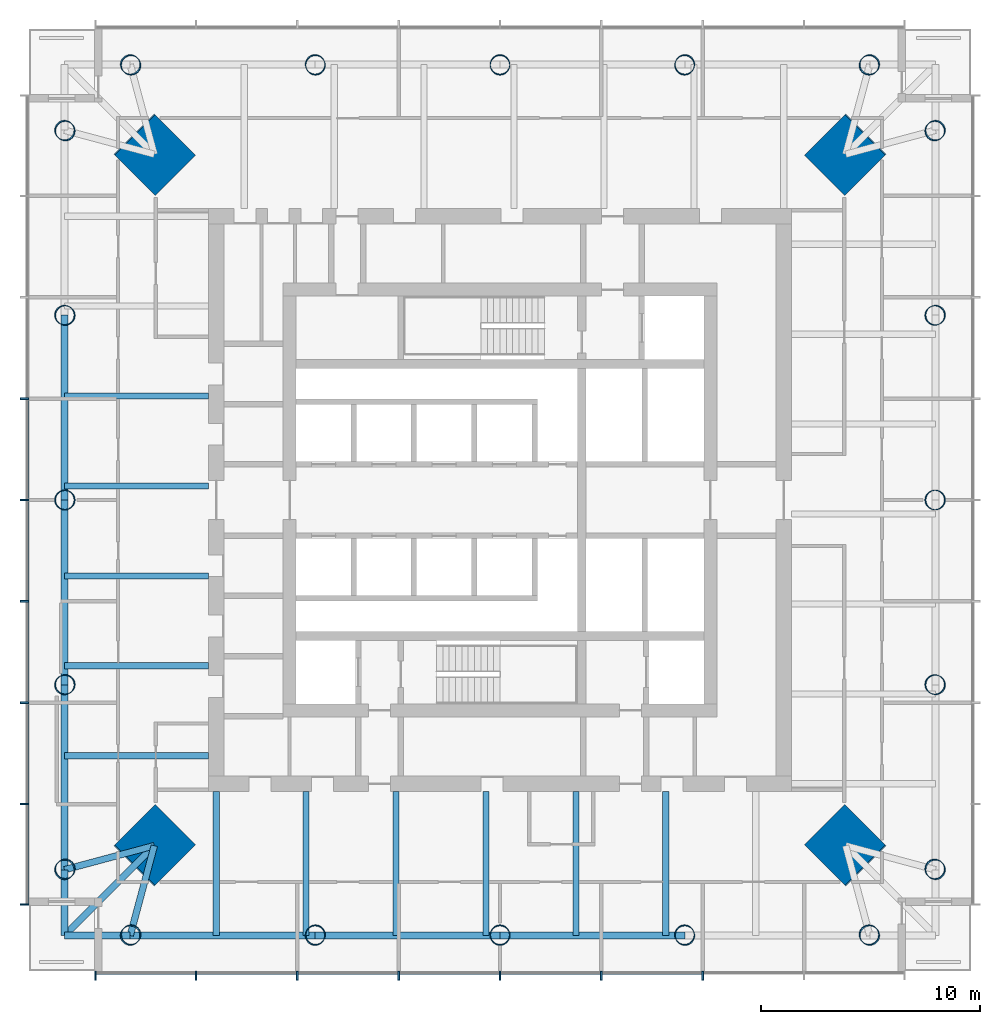
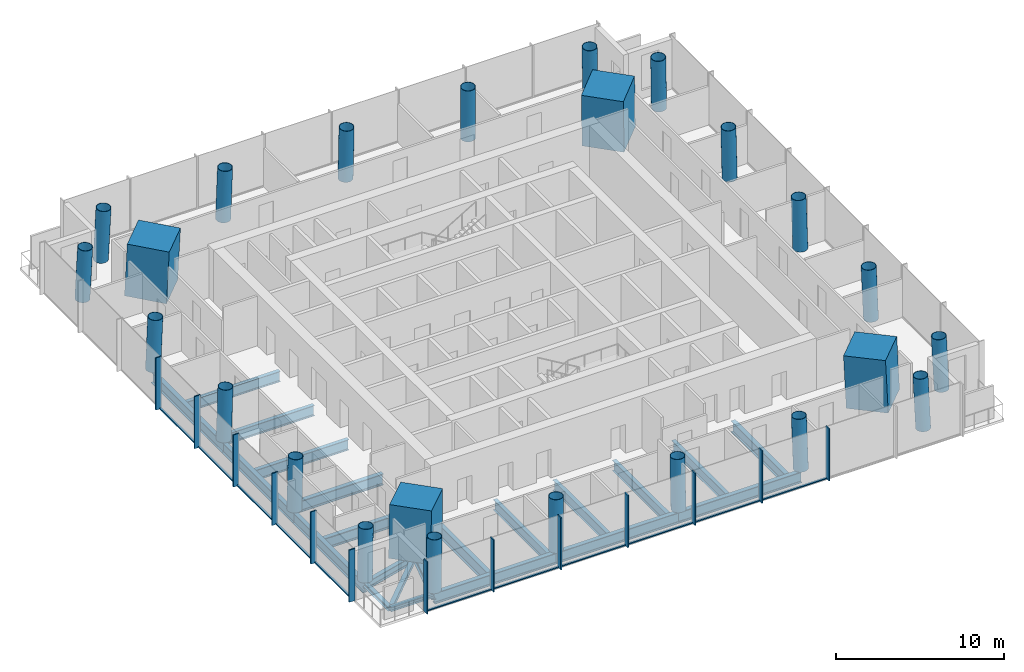
# One storey, part 1 of 9: 24 columns, 24 members, 22 beams, 2 elements without a shape of their own.
"""IFC4 building model written with IfcOpenShell, lengths in metres."""

from ifc_helpers import new_model, si_unit, direction, frame, origin, origin_2d, place, context, subcontext, project, spatial, rectangle, hollow_circle, i_section, extrude, material, material_profile, profile_set, type_object, element, aggregate, save


model = new_model("IFC4")

# Units and contexts
model_context = context("Model", 3, precision=1e-05, world=origin(), true_north=direction((0.0, 1.0)))
body_context = subcontext(model_context, "Body", "Model", "MODEL_VIEW")
ifc_project = project(units=[si_unit("LENGTHUNIT", "METRE"), si_unit("AREAUNIT", "SQUARE_METRE"), si_unit("VOLUMEUNIT", "CUBIC_METRE"), si_unit("PLANEANGLEUNIT", "RADIAN"), si_unit("MASSUNIT", "GRAM", prefix="KILO")], contexts=[model_context])

# Site, building, storey
site_placement = place(None, origin())
site = spatial("IfcSite", under=ifc_project, at=site_placement, CompositionType="ELEMENT")
building_placement = place(site_placement, origin())
building = spatial("IfcBuilding", under=site, at=building_placement, Name="Ostroluk Exchange", CompositionType="ELEMENT")
storey_placement = place(building_placement, frame((0.0, 0.0, 150.199951171875)))
storey = spatial("IfcBuildingStorey", under=building, at=storey_placement, Name="L38", CompositionType="ELEMENT", Elevation=150.199951171875)

# Columns
ifc_material_1 = material(Name="Concrete C50/60", Category="concrete")
ifc_material_profile_1 = material_profile(ifc_material_1, rectangle(XDim=2.60009765625, YDim=2.60009765625, at=origin_2d()), Name="RC 2600x2600")
ifc_profile_set_1 = profile_set([ifc_material_profile_1], Name="Concrete C50/60")
column_type_1 = type_object("IfcColumnType", Name="Mega column RC 2600x2600", PredefinedType="COLUMN", material=ifc_profile_set_1)
for number, where, z_axis, x_axis, name in (
    (1, (60.771484375, 61.771484375, 0.0), (-0.031962158256, -0.031962158256, 0.998977898093), (0.707106781187, -0.707106781187, 0.0), "T1 mega column NE"),
    (2, (29.228515625, 61.771484375, 0.0), (0.031962158256, -0.031962158256, 0.998977898093), (0.707106781187, 0.707106781187, 0.0), "T1 mega column NW"),
    (3, (29.228515625, 30.228515625, 0.0), (0.031962158256, 0.031962158256, 0.998977898093), (-0.707106781187, 0.707106781187, 0.0), "T1 mega column SW"),
    (4, (60.771484375, 30.228515625, 0.0), (-0.031962158256, 0.031962158256, 0.998977898093), (-0.707106781187, -0.707106781187, 0.0), "T1 mega column SE"),
):
    element("IfcColumn", number, at=place(storey_placement, frame(where, z_axis=z_axis, x_axis=x_axis)), inside=storey, type_object=column_type_1, Name=name, PredefinedType="COLUMN", context=body_context, shape_type="SweptSolid", body=[
        extrude(rectangle(XDim=2.60009765625, YDim=2.60009765625, at=origin_2d()), origin(), (0.0, 0.0, 1.0), 3.803955078125),
    ])
ifc_material_2 = material(Name="Steel S460", Category="steel")
ifc_material_profile_2 = material_profile(ifc_material_2, hollow_circle(Radius=0.45703125, WallThickness=0.030029296875, at=origin_2d()), Name="CHS 914x30")
ifc_profile_set_2 = profile_set([ifc_material_profile_2], Name="Steel S460")
column_type_2 = type_object("IfcColumnType", Name="Perimeter column CHS 914x30", PredefinedType="COLUMN", material=ifc_profile_set_2)
for number, where, z_axis, x_axis, name in (
    (5, (64.871337890625, 29.128662109375, 0.0), (-0.031898107953, 0.031898107953, 0.998981992539), (-0.707106781187, -0.707106781187, 0.0), "T1 east face column E0"),
    (6, (64.871337890625, 62.871337890625, 0.0), (-0.031898107953, -0.031898107953, 0.998981992539), (0.707106781187, -0.707106781187, 0.0), "T1 east face column E1"),
):
    element("IfcColumn", number, at=place(storey_placement, frame(where, z_axis=z_axis, x_axis=x_axis)), inside=storey, type_object=column_type_2, Name=name, PredefinedType="COLUMN", context=body_context, shape_type="SweptSolid", body=[
        extrude(hollow_circle(Radius=0.45703125, WallThickness=0.030029296875, at=origin_2d()), origin(), (0.0, 0.0, 1.0), 3.803955078125),
    ])
column_1_placement = place(storey_placement, frame((64.871337890625, 37.564208984375, 0.0), z_axis=(-0.031910269556, 0.015987237665, 0.999362868496), x_axis=(-0.447933021895, -0.894067115991, 0.0)))
element("IfcColumn", 7, at=column_1_placement, inside=storey, type_object=column_type_2, Name="T1 east face column I1", PredefinedType="COLUMN", context=body_context, shape_type="SweptSolid", body=[
    extrude(hollow_circle(Radius=0.45703125, WallThickness=0.030029296875, at=origin_2d()), origin(), (0.0, 0.0, 1.0), 3.802490234375),
])
column_2_placement = place(storey_placement, frame((64.871337890625, 46.0, 0.0), z_axis=(-0.031914348339, 0.0, 0.999490607445), x_axis=(0.0, -1.0, 0.0)))
element("IfcColumn", 8, at=column_2_placement, inside=storey, type_object=column_type_2, Name="T1 east face column I2", PredefinedType="COLUMN", context=body_context, shape_type="SweptSolid", body=[
    extrude(hollow_circle(Radius=0.45703125, WallThickness=0.030029296875, at=origin_2d()), origin(), (0.0, 0.0, 1.0), 3.802001953125),
])
column_3_placement = place(storey_placement, frame((64.871337890625, 54.435791015625, 0.0), z_axis=(-0.031910269556, -0.015987237665, 0.999362868496), x_axis=(0.447933021895, -0.894067115991, 0.0)))
element("IfcColumn", 9, at=column_3_placement, inside=storey, type_object=column_type_2, Name="T1 east face column I3", PredefinedType="COLUMN", context=body_context, shape_type="SweptSolid", body=[
    extrude(hollow_circle(Radius=0.45703125, WallThickness=0.030029296875, at=origin_2d()), origin(), (0.0, 0.0, 1.0), 3.802490234375),
])
for number, where, z_axis, x_axis, name in (
    (10, (61.871337890625, 65.871337890625, 0.0), (-0.031898107953, -0.031898107953, 0.998981992539), (0.707106781187, -0.707106781187, 0.0), "T1 north face column E0"),
    (11, (28.128662109375, 65.871337890625, 0.0), (0.031898107953, -0.031898107953, 0.998981992539), (0.707106781187, 0.707106781187, 0.0), "T1 north face column E1"),
):
    element("IfcColumn", number, at=place(storey_placement, frame(where, z_axis=z_axis, x_axis=x_axis)), inside=storey, type_object=column_type_2, Name=name, PredefinedType="COLUMN", context=body_context, shape_type="SweptSolid", body=[
        extrude(hollow_circle(Radius=0.45703125, WallThickness=0.030029296875, at=origin_2d()), origin(), (0.0, 0.0, 1.0), 3.803955078125),
    ])
column_4_placement = place(storey_placement, frame((53.435791015625, 65.871337890625, 0.0), z_axis=(-0.015987237665, -0.031910269556, 0.999362868496), x_axis=(0.894067115991, -0.447933021895, 0.0)))
element("IfcColumn", 12, at=column_4_placement, inside=storey, type_object=column_type_2, Name="T1 north face column I1", PredefinedType="COLUMN", context=body_context, shape_type="SweptSolid", body=[
    extrude(hollow_circle(Radius=0.45703125, WallThickness=0.030029296875, at=origin_2d()), origin(), (0.0, 0.0, 1.0), 3.802490234375),
])
column_5_placement = place(storey_placement, frame((45.0, 65.871337890625, 0.0), z_axis=(0.0, -0.031914348339, 0.999490607445), x_axis=(1.0, 0.0, 0.0)))
element("IfcColumn", 13, at=column_5_placement, inside=storey, type_object=column_type_2, Name="T1 north face column I2", PredefinedType="COLUMN", context=body_context, shape_type="SweptSolid", body=[
    extrude(hollow_circle(Radius=0.45703125, WallThickness=0.030029296875, at=origin_2d()), origin(), (0.0, 0.0, 1.0), 3.802001953125),
])
column_6_placement = place(storey_placement, frame((36.564208984375, 65.871337890625, 0.0), z_axis=(0.015987237665, -0.031910269556, 0.999362868496), x_axis=(0.894067115991, 0.447933021895, 0.0)))
element("IfcColumn", 14, at=column_6_placement, inside=storey, type_object=column_type_2, Name="T1 north face column I3", PredefinedType="COLUMN", context=body_context, shape_type="SweptSolid", body=[
    extrude(hollow_circle(Radius=0.45703125, WallThickness=0.030029296875, at=origin_2d()), origin(), (0.0, 0.0, 1.0), 3.802490234375),
])
for number, where, z_axis, x_axis, name in (
    (15, (25.128662109375, 62.871337890625, 0.0), (0.031898107953, -0.031898107953, 0.998981992539), (0.707106781187, 0.707106781187, 0.0), "T1 west face column E0"),
    (16, (25.128662109375, 29.128662109375, 0.0), (0.031898107953, 0.031898107953, 0.998981992539), (-0.707106781187, 0.707106781187, 0.0), "T1 west face column E1"),
):
    element("IfcColumn", number, at=place(storey_placement, frame(where, z_axis=z_axis, x_axis=x_axis)), inside=storey, type_object=column_type_2, Name=name, PredefinedType="COLUMN", context=body_context, shape_type="SweptSolid", body=[
        extrude(hollow_circle(Radius=0.45703125, WallThickness=0.030029296875, at=origin_2d()), origin(), (0.0, 0.0, 1.0), 3.803955078125),
    ])
column_7_placement = place(storey_placement, frame((25.128662109375, 54.435791015625, 0.0), z_axis=(0.031910269556, -0.015987237665, 0.999362868496), x_axis=(0.447933021895, 0.894067115991, 0.0)))
element("IfcColumn", 17, at=column_7_placement, inside=storey, type_object=column_type_2, Name="T1 west face column I1", PredefinedType="COLUMN", context=body_context, shape_type="SweptSolid", body=[
    extrude(hollow_circle(Radius=0.45703125, WallThickness=0.030029296875, at=origin_2d()), origin(), (0.0, 0.0, 1.0), 3.802490234375),
])
column_8_placement = place(storey_placement, frame((25.128662109375, 46.0, 0.0), z_axis=(0.031914348339, 0.0, 0.999490607445), x_axis=(0.0, 1.0, 0.0)))
element("IfcColumn", 18, at=column_8_placement, inside=storey, type_object=column_type_2, Name="T1 west face column I2", PredefinedType="COLUMN", context=body_context, shape_type="SweptSolid", body=[
    extrude(hollow_circle(Radius=0.45703125, WallThickness=0.030029296875, at=origin_2d()), origin(), (0.0, 0.0, 1.0), 3.802001953125),
])
column_9_placement = place(storey_placement, frame((25.128662109375, 37.564208984375, 0.0), z_axis=(0.031910269556, 0.015987237665, 0.999362868496), x_axis=(-0.447933021895, 0.894067115991, 0.0)))
element("IfcColumn", 19, at=column_9_placement, inside=storey, type_object=column_type_2, Name="T1 west face column I3", PredefinedType="COLUMN", context=body_context, shape_type="SweptSolid", body=[
    extrude(hollow_circle(Radius=0.45703125, WallThickness=0.030029296875, at=origin_2d()), origin(), (0.0, 0.0, 1.0), 3.802490234375),
])
for number, where, z_axis, x_axis, name in (
    (20, (28.128662109375, 26.128662109375, 0.0), (0.031898107953, 0.031898107953, 0.998981992539), (-0.707106781187, 0.707106781187, 0.0), "T1 south face column E0"),
    (21, (61.871337890625, 26.128662109375, 0.0), (-0.031898107953, 0.031898107953, 0.998981992539), (-0.707106781187, -0.707106781187, 0.0), "T1 south face column E1"),
):
    element("IfcColumn", number, at=place(storey_placement, frame(where, z_axis=z_axis, x_axis=x_axis)), inside=storey, type_object=column_type_2, Name=name, PredefinedType="COLUMN", context=body_context, shape_type="SweptSolid", body=[
        extrude(hollow_circle(Radius=0.45703125, WallThickness=0.030029296875, at=origin_2d()), origin(), (0.0, 0.0, 1.0), 3.803955078125),
    ])
column_10_placement = place(storey_placement, frame((36.564208984375, 26.128662109375, 0.0), z_axis=(0.015987237665, 0.031910269556, 0.999362868496), x_axis=(-0.894067115991, 0.447933021895, 0.0)))
element("IfcColumn", 22, at=column_10_placement, inside=storey, type_object=column_type_2, Name="T1 south face column I1", PredefinedType="COLUMN", context=body_context, shape_type="SweptSolid", body=[
    extrude(hollow_circle(Radius=0.45703125, WallThickness=0.030029296875, at=origin_2d()), origin(), (0.0, 0.0, 1.0), 3.802490234375),
])
column_11_placement = place(storey_placement, frame((45.0, 26.128662109375, 0.0), z_axis=(0.0, 0.031914348339, 0.999490607445), x_axis=(-1.0, 0.0, 0.0)))
element("IfcColumn", 23, at=column_11_placement, inside=storey, type_object=column_type_2, Name="T1 south face column I2", PredefinedType="COLUMN", context=body_context, shape_type="SweptSolid", body=[
    extrude(hollow_circle(Radius=0.45703125, WallThickness=0.030029296875, at=origin_2d()), origin(), (0.0, 0.0, 1.0), 3.802001953125),
])
column_12_placement = place(storey_placement, frame((53.435791015625, 26.128662109375, 0.0), z_axis=(-0.015987237665, 0.031910269556, 0.999362868496), x_axis=(-0.894067115991, -0.447933021895, 0.0)))
element("IfcColumn", 24, at=column_12_placement, inside=storey, type_object=column_type_2, Name="T1 south face column I3", PredefinedType="COLUMN", context=body_context, shape_type="SweptSolid", body=[
    extrude(hollow_circle(Radius=0.45703125, WallThickness=0.030029296875, at=origin_2d()), origin(), (0.0, 0.0, 1.0), 3.802490234375),
])

# Beams
ifc_material_3 = material(Name="Steel S355", Category="steel")
ifc_material_profile_3 = material_profile(ifc_material_3, i_section(OverallWidth=0.300048828125, OverallDepth=0.300048828125, WebThickness=0.010986328125, FlangeThickness=0.01904296875, FilletRadius=0.027099609375, at=origin_2d()), Name="HEB 300")
ifc_profile_set_3 = profile_set([ifc_material_profile_3], Name="Steel S355")
beam_type_1 = type_object("IfcBeamType", Name="Balcony beam HEB 300", PredefinedType="BEAM", material=ifc_profile_set_3)
for number, where, z_axis, x_axis, name in (
    (25, (25.128662109375, 29.128662109375, -0.329833984375), (0.0, -1.0, 0.0), (1.0, 0.0, 0.0), "T1 west balcony beam a"),
    (26, (28.128662109375, 26.128662109375, -0.329833984375), (-1.0, 0.0, 0.0), (0.0, -1.0, 0.0), "T1 west balcony beam b"),
):
    element("IfcBeam", number, at=place(storey_placement, frame(where, z_axis=z_axis, x_axis=x_axis)), inside=storey, type_object=beam_type_1, Name=name, PredefinedType="BEAM", context=body_context, shape_type="SweptSolid", body=[
        extrude(i_section(OverallWidth=0.300048828125, OverallDepth=0.300048828125, WebThickness=0.010986328125, FlangeThickness=0.01904296875, FilletRadius=0.027099609375, at=origin_2d()), origin(), (0.0, 0.0, 1.0), 3.0),
    ])
beam_1_placement = place(storey_placement, frame((29.228515625, 30.228515625, -0.329833984375), z_axis=(-0.707106781187, -0.707106781187, 0.0), x_axis=(0.707106781187, -0.707106781187, 0.0)))
element("IfcBeam", 27, at=beam_1_placement, inside=storey, type_object=beam_type_1, Name="T1 west balcony beam c", PredefinedType="BEAM", context=body_context, shape_type="SweptSolid", body=[
    extrude(i_section(OverallWidth=0.300048828125, OverallDepth=0.300048828125, WebThickness=0.010986328125, FlangeThickness=0.01904296875, FilletRadius=0.027099609375, at=origin_2d()), origin(), (0.0, 0.0, 1.0), 5.798095703125),
])
ifc_material_4 = material(Name="Steel S355", Category="steel")
ifc_material_profile_4 = material_profile(ifc_material_4, i_section(OverallWidth=0.300048828125, OverallDepth=0.550048828125, WebThickness=0.014892578125, FlangeThickness=0.029052734375, FilletRadius=0.027099609375, at=origin_2d()), Name="HEB 550")
ifc_profile_set_4 = profile_set([ifc_material_profile_4], Name="Steel S355")
beam_type_2 = type_object("IfcBeamType", Name="Corner edge beam HEB 550", PredefinedType="SPANDREL", material=ifc_profile_set_4)
for number, where, z_axis, x_axis, name in (
    (28, (29.228515625, 30.228515625, -0.454833984375), (-0.965849156574, -0.259105011038, 0.0), (0.259105011038, -0.965849156574, 0.0), "T1 west corner edge beam a"),
    (29, (29.228515625, 30.228515625, -0.454833984375), (-0.259105011038, -0.965849156574, 0.0), (0.965849156574, -0.259105011038, 0.0), "T1 west corner edge beam b"),
):
    element("IfcBeam", number, at=place(storey_placement, frame(where, z_axis=z_axis, x_axis=x_axis)), inside=storey, type_object=beam_type_2, Name=name, PredefinedType="SPANDREL", context=body_context, shape_type="SweptSolid", body=[
        extrude(i_section(OverallWidth=0.300048828125, OverallDepth=0.550048828125, WebThickness=0.014892578125, FlangeThickness=0.029052734375, FilletRadius=0.027099609375, at=origin_2d()), origin(), (0.0, 0.0, 1.0), 4.244873046875),
    ])
ifc_material_5 = material(Name="Steel S355", Category="steel")
ifc_material_profile_5 = material_profile(ifc_material_5, i_section(OverallWidth=0.302978515625, OverallDepth=0.81396484375, WebThickness=0.02099609375, FlangeThickness=0.0400390625, FilletRadius=0.030029296875, at=origin_2d()), Name="HEM 800")
ifc_profile_set_5 = profile_set([ifc_material_profile_5], Name="Steel S355")
beam_type_3 = type_object("IfcBeamType", Name="Floor beam HEM 800", PredefinedType="BEAM", material=ifc_profile_set_5)
for number, where, z_axis, x_axis, name in (
    (30, (31.699951171875, 38.4365234375, -0.5869140625), (-1.0, 0.0, 0.0), (0.0, -1.0, 0.0), "T1 west floor beam 5"),
    (31, (31.699951171875, 34.333984375, -0.5869140625), (-1.0, 0.0, 0.0), (0.0, -1.0, 0.0), "T1 west floor beam 6"),
    (32, (52.5634765625, 32.699951171875, -0.5869140625), (0.0, -1.0, 0.0), (1.0, 0.0, 0.0), "T1 south floor beam 5"),
):
    element("IfcBeam", number, at=place(storey_placement, frame(where, z_axis=z_axis, x_axis=x_axis)), inside=storey, type_object=beam_type_3, Name=name, PredefinedType="BEAM", context=body_context, shape_type="SweptSolid", body=[
        extrude(i_section(OverallWidth=0.302978515625, OverallDepth=0.81396484375, WebThickness=0.02099609375, FlangeThickness=0.0400390625, FilletRadius=0.030029296875, at=origin_2d()), origin(), (0.0, 0.0, 1.0), 6.5712890625),
    ])
ifc_material_6 = material(Name="Steel S355", Category="steel")
ifc_material_profile_6 = material_profile(ifc_material_6, i_section(OverallWidth=0.26708984375, OverallDepth=0.761962890625, WebThickness=0.014404296875, FlangeThickness=0.021484375, FilletRadius=0.01708984375, at=origin_2d()), Name="IPE 750x173")
ifc_profile_set_6 = profile_set([ifc_material_profile_6], Name="Steel S355")
beam_type_4 = type_object("IfcBeamType", Name="Floor beam IPE 750x173", PredefinedType="BEAM", material=ifc_profile_set_6)
for number, where, z_axis, x_axis, name in (
    (33, (31.699951171875, 50.74462890625, -0.56103515625), (-1.0, 0.0, 0.0), (0.0, -1.0, 0.0), "T1 west floor beam 2"),
    (34, (31.699951171875, 46.641845703125, -0.56103515625), (-1.0, 0.0, 0.0), (0.0, -1.0, 0.0), "T1 west floor beam 3"),
    (35, (31.699951171875, 42.539306640625, -0.56103515625), (-1.0, 0.0, 0.0), (0.0, -1.0, 0.0), "T1 west floor beam 4"),
    (36, (36.152587890625, 32.699951171875, -0.56103515625), (0.0, -1.0, 0.0), (1.0, 0.0, 0.0), "T1 south floor beam 1"),
    (37, (40.25537109375, 32.699951171875, -0.56103515625), (0.0, -1.0, 0.0), (1.0, 0.0, 0.0), "T1 south floor beam 2"),
    (38, (44.358154296875, 32.699951171875, -0.56103515625), (0.0, -1.0, 0.0), (1.0, 0.0, 0.0), "T1 south floor beam 3"),
    (39, (48.460693359375, 32.699951171875, -0.56103515625), (0.0, -1.0, 0.0), (1.0, 0.0, 0.0), "T1 south floor beam 4"),
):
    element("IfcBeam", number, at=place(storey_placement, frame(where, z_axis=z_axis, x_axis=x_axis)), inside=storey, type_object=beam_type_4, Name=name, PredefinedType="BEAM", context=body_context, shape_type="SweptSolid", body=[
        extrude(i_section(OverallWidth=0.26708984375, OverallDepth=0.761962890625, WebThickness=0.014404296875, FlangeThickness=0.021484375, FilletRadius=0.01708984375, at=origin_2d()), origin(), (0.0, 0.0, 1.0), 6.5712890625),
    ])
ifc_material_7 = material(Name="Steel S355", Category="steel")
ifc_material_profile_7 = material_profile(ifc_material_7, i_section(OverallWidth=0.300048828125, OverallDepth=0.89990234375, WebThickness=0.0185546875, FlangeThickness=0.034912109375, FilletRadius=0.030029296875, at=origin_2d()), Name="HEB 900")
ifc_profile_set_7 = profile_set([ifc_material_profile_7], Name="Steel S355")
beam_type_5 = type_object("IfcBeamType", Name="Girder HEB 900", PredefinedType="BEAM", material=ifc_profile_set_7)
beam_2_placement = place(storey_placement, frame((32.050048828125, 32.699951171875, -0.6298828125), z_axis=(0.0, -1.0, 0.0), x_axis=(1.0, 0.0, 0.0)))
element("IfcBeam", 40, at=beam_2_placement, inside=storey, type_object=beam_type_5, Name="T1 west girder", PredefinedType="BEAM", context=body_context, shape_type="SweptSolid", body=[
    extrude(i_section(OverallWidth=0.300048828125, OverallDepth=0.89990234375, WebThickness=0.0185546875, FlangeThickness=0.034912109375, FilletRadius=0.030029296875, at=origin_2d()), origin(), (0.0, 0.0, 1.0), 6.5712890625),
])
ifc_material_8 = material(Name="Steel S355", Category="steel")
ifc_material_profile_8 = material_profile(ifc_material_8, i_section(OverallWidth=0.300048828125, OverallDepth=0.800048828125, WebThickness=0.017578125, FlangeThickness=0.032958984375, FilletRadius=0.030029296875, at=origin_2d()), Name="HEB 800")
ifc_profile_set_8 = profile_set([ifc_material_profile_8], Name="Steel S355")
beam_type_6 = type_object("IfcBeamType", Name="Moment-connected edge beam HEB 800", PredefinedType="SPANDREL", material=ifc_profile_set_8)
for number, where, z_axis, x_axis, name in (
    (41, (25.128662109375, 54.435791015625, -0.579833984375), (0.0, -1.0, 0.0), (1.0, 0.0, 0.0), "T1 west edge beam 2"),
    (42, (25.128662109375, 46.0, -0.579833984375), (0.0, -1.0, 0.0), (1.0, 0.0, 0.0), "T1 west edge beam 3"),
):
    element("IfcBeam", number, at=place(storey_placement, frame(where, z_axis=z_axis, x_axis=x_axis)), inside=storey, type_object=beam_type_6, Name=name, PredefinedType="SPANDREL", context=body_context, shape_type="SweptSolid", body=[
        extrude(i_section(OverallWidth=0.300048828125, OverallDepth=0.800048828125, WebThickness=0.017578125, FlangeThickness=0.032958984375, FilletRadius=0.030029296875, at=origin_2d()), origin(), (0.0, 0.0, 1.0), 8.435791015625),
    ])
for number, where, z_axis, x_axis, name in (
    (43, (25.128662109375, 37.564208984375, -0.579833984375), (0.0, -1.0, 0.0), (1.0, 0.0, 0.0), "T1 west edge beam 4"),
    (44, (28.128662109375, 26.128662109375, -0.579833984375), (1.0, 0.0, 0.0), (0.0, 1.0, 0.0), "T1 south edge beam 1"),
):
    element("IfcBeam", number, at=place(storey_placement, frame(where, z_axis=z_axis, x_axis=x_axis)), inside=storey, type_object=beam_type_6, Name=name, PredefinedType="SPANDREL", context=body_context, shape_type="SweptSolid", body=[
        extrude(i_section(OverallWidth=0.300048828125, OverallDepth=0.800048828125, WebThickness=0.017578125, FlangeThickness=0.032958984375, FilletRadius=0.030029296875, at=origin_2d()), origin(), (0.0, 0.0, 1.0), 8.435546875),
    ])
for number, where, z_axis, x_axis, name in (
    (45, (36.564208984375, 26.128662109375, -0.579833984375), (1.0, 0.0, 0.0), (0.0, 1.0, 0.0), "T1 south edge beam 2"),
    (46, (45.0, 26.128662109375, -0.579833984375), (1.0, 0.0, 0.0), (0.0, 1.0, 0.0), "T1 south edge beam 3"),
):
    element("IfcBeam", number, at=place(storey_placement, frame(where, z_axis=z_axis, x_axis=x_axis)), inside=storey, type_object=beam_type_6, Name=name, PredefinedType="SPANDREL", context=body_context, shape_type="SweptSolid", body=[
        extrude(i_section(OverallWidth=0.300048828125, OverallDepth=0.800048828125, WebThickness=0.017578125, FlangeThickness=0.032958984375, FilletRadius=0.030029296875, at=origin_2d()), origin(), (0.0, 0.0, 1.0), 8.435791015625),
    ])

# Curtain wall, members
ifc_material_9 = material(Name="Laminated clear glass", Category="glass")
curtain_wall_type = type_object("IfcCurtainWallType", Name="Office tower facade", PredefinedType="USERDEFINED", material=ifc_material_9)
curtain_wall_1_placement = place(storey_placement, origin())
curtain_wall_1 = element("IfcCurtainWall", 47, at=curtain_wall_1_placement, inside=storey, type_object=curtain_wall_type, Name="Office tower south facade L38", ObjectType="UNITISED CURTAIN WALL", PredefinedType="USERDEFINED")
ifc_material_10 = material(Name="Aluminium mullion", Category="aluminium")
ifc_material_profile_9 = material_profile(ifc_material_10, rectangle(XDim=0.14990234375, YDim=0.080078125, at=origin_2d()), Name="Sill transom 80 x 150")
ifc_profile_set_9 = profile_set([ifc_material_profile_9], Name="Aluminium mullion")
member_type_1 = type_object("IfcMemberType", Name="Sill transom 80 x 150", PredefinedType="USERDEFINED", material=ifc_profile_set_9)
member_1_placement = place(storey_placement, frame((26.580078125, 24.425048828125, 0.0400390625), z_axis=(1.0, 0.0, 0.0), x_axis=(0.0, 1.0, 0.0)))
member_1 = element("IfcMember", 48, at=member_1_placement, type_object=member_type_1, Name="CW-O1 transom 1.1", ObjectType="TRANSOM", PredefinedType="USERDEFINED", context=body_context, shape_type="SweptSolid", body=[
    extrude(rectangle(XDim=0.14990234375, YDim=0.080078125, at=origin_2d()), origin(), (0.0, 0.0, 1.0), 4.5048828125),
])
member_2_placement = place(storey_placement, frame((31.1650390625, 24.425048828125, 0.0400390625), z_axis=(1.0, 0.0, 0.0), x_axis=(0.0, 1.0, 0.0)))
member_2 = element("IfcMember", 49, at=member_2_placement, type_object=member_type_1, Name="CW-O1 transom 2.1", ObjectType="TRANSOM", PredefinedType="USERDEFINED", context=body_context, shape_type="SweptSolid", body=[
    extrude(rectangle(XDim=0.14990234375, YDim=0.080078125, at=origin_2d()), origin(), (0.0, 0.0, 1.0), 4.544921875),
])
member_3_placement = place(storey_placement, frame((35.7900390625, 24.425048828125, 0.0400390625), z_axis=(1.0, 0.0, 0.0), x_axis=(0.0, 1.0, 0.0)))
member_3 = element("IfcMember", 50, at=member_3_placement, type_object=member_type_1, Name="CW-O1 transom 3.1", ObjectType="TRANSOM", PredefinedType="USERDEFINED", context=body_context, shape_type="SweptSolid", body=[
    extrude(rectangle(XDim=0.14990234375, YDim=0.080078125, at=origin_2d()), origin(), (0.0, 0.0, 1.0), 4.544921875),
])
member_4_placement = place(storey_placement, frame((40.4150390625, 24.425048828125, 0.0400390625), z_axis=(1.0, 0.0, 0.0), x_axis=(0.0, 1.0, 0.0)))
member_4 = element("IfcMember", 51, at=member_4_placement, type_object=member_type_1, Name="CW-O1 transom 4.1", ObjectType="TRANSOM", PredefinedType="USERDEFINED", context=body_context, shape_type="SweptSolid", body=[
    extrude(rectangle(XDim=0.14990234375, YDim=0.080078125, at=origin_2d()), origin(), (0.0, 0.0, 1.0), 4.544921875),
])
member_5_placement = place(storey_placement, frame((45.0400390625, 24.425048828125, 0.0400390625), z_axis=(1.0, 0.0, 0.0), x_axis=(0.0, 1.0, 0.0)))
member_5 = element("IfcMember", 52, at=member_5_placement, type_object=member_type_1, Name="CW-O1 transom 5.1", ObjectType="TRANSOM", PredefinedType="USERDEFINED", context=body_context, shape_type="SweptSolid", body=[
    extrude(rectangle(XDim=0.14990234375, YDim=0.080078125, at=origin_2d()), origin(), (0.0, 0.0, 1.0), 4.544921875),
])
member_6_placement = place(storey_placement, frame((49.6650390625, 24.425048828125, 0.0400390625), z_axis=(1.0, 0.0, 0.0), x_axis=(0.0, 1.0, 0.0)))
member_6 = element("IfcMember", 53, at=member_6_placement, type_object=member_type_1, Name="CW-O1 transom 6.1", ObjectType="TRANSOM", PredefinedType="USERDEFINED", context=body_context, shape_type="SweptSolid", body=[
    extrude(rectangle(XDim=0.14990234375, YDim=0.080078125, at=origin_2d()), origin(), (0.0, 0.0, 1.0), 4.544921875),
])

curtain_wall_2_placement = place(storey_placement, origin())
curtain_wall_2 = element("IfcCurtainWall", 54, at=curtain_wall_2_placement, inside=storey, type_object=curtain_wall_type, Name="Office tower west facade L38", ObjectType="UNITISED CURTAIN WALL", PredefinedType="USERDEFINED")
member_7_placement = place(storey_placement, frame((23.425048828125, 50.5849609375, 0.0400390625), z_axis=(0.0, -1.0, 0.0), x_axis=(1.0, 0.0, 0.0)))
member_7 = element("IfcMember", 55, at=member_7_placement, type_object=member_type_1, Name="CW-O1 transom 4.1", ObjectType="TRANSOM", PredefinedType="USERDEFINED", context=body_context, shape_type="SweptSolid", body=[
    extrude(rectangle(XDim=0.14990234375, YDim=0.080078125, at=origin_2d()), origin(), (0.0, 0.0, 1.0), 4.544921875),
])
member_8_placement = place(storey_placement, frame((23.425048828125, 45.9599609375, 0.0400390625), z_axis=(0.0, -1.0, 0.0), x_axis=(1.0, 0.0, 0.0)))
member_8 = element("IfcMember", 56, at=member_8_placement, type_object=member_type_1, Name="CW-O1 transom 5.1", ObjectType="TRANSOM", PredefinedType="USERDEFINED", context=body_context, shape_type="SweptSolid", body=[
    extrude(rectangle(XDim=0.14990234375, YDim=0.080078125, at=origin_2d()), origin(), (0.0, 0.0, 1.0), 4.544921875),
])
member_9_placement = place(storey_placement, frame((23.425048828125, 41.3349609375, 0.0400390625), z_axis=(0.0, -1.0, 0.0), x_axis=(1.0, 0.0, 0.0)))
member_9 = element("IfcMember", 57, at=member_9_placement, type_object=member_type_1, Name="CW-O1 transom 6.1", ObjectType="TRANSOM", PredefinedType="USERDEFINED", context=body_context, shape_type="SweptSolid", body=[
    extrude(rectangle(XDim=0.14990234375, YDim=0.080078125, at=origin_2d()), origin(), (0.0, 0.0, 1.0), 4.544921875),
])
member_10_placement = place(storey_placement, frame((23.425048828125, 36.7099609375, 0.0400390625), z_axis=(0.0, -1.0, 0.0), x_axis=(1.0, 0.0, 0.0)))
member_10 = element("IfcMember", 58, at=member_10_placement, type_object=member_type_1, Name="CW-O1 transom 7.1", ObjectType="TRANSOM", PredefinedType="USERDEFINED", context=body_context, shape_type="SweptSolid", body=[
    extrude(rectangle(XDim=0.14990234375, YDim=0.080078125, at=origin_2d()), origin(), (0.0, 0.0, 1.0), 4.544921875),
])
member_11_placement = place(storey_placement, frame((23.425048828125, 32.0849609375, 0.0400390625), z_axis=(0.0, -1.0, 0.0), x_axis=(1.0, 0.0, 0.0)))
member_11 = element("IfcMember", 59, at=member_11_placement, type_object=member_type_1, Name="CW-O1 transom 8.1", ObjectType="TRANSOM", PredefinedType="USERDEFINED", context=body_context, shape_type="SweptSolid", body=[
    extrude(rectangle(XDim=0.14990234375, YDim=0.080078125, at=origin_2d()), origin(), (0.0, 0.0, 1.0), 4.5048828125),
])

# Member
ifc_material_11 = material(Name="Aluminium mullion with limestone facing", Category="masonry")
ifc_material_profile_10 = material_profile(ifc_material_11, rectangle(XDim=0.39990234375, YDim=0.080078125, at=origin_2d()), Name="Tracery mullion 80 x 400")
ifc_profile_set_10 = profile_set([ifc_material_profile_10], Name="Aluminium mullion with limestone facing")
member_type_2 = type_object("IfcMemberType", Name="Tracery mullion 80 x 400", PredefinedType="MULLION", material=ifc_profile_set_10)
member_12_placement = place(storey_placement, frame((26.5400390625, 24.300048828125, 0.0), z_axis=(0.0, 0.0, 1.0), x_axis=(0.0, 1.0, 0.0)))
member_12 = element("IfcMember", 60, at=member_12_placement, type_object=member_type_2, Name="CW-O1 mullion 1", PredefinedType="MULLION", context=body_context, shape_type="SweptSolid", body=[
    extrude(rectangle(XDim=0.39990234375, YDim=0.080078125, at=origin_2d()), origin(), (0.0, 0.0, 1.0), 3.800048828125),
])

member_13_placement = place(storey_placement, frame((31.125, 24.300048828125, 0.0), z_axis=(0.0, 0.0, 1.0), x_axis=(0.0, 1.0, 0.0)))
member_13 = element("IfcMember", 61, at=member_13_placement, type_object=member_type_2, Name="CW-O1 mullion 2", PredefinedType="MULLION", context=body_context, shape_type="SweptSolid", body=[
    extrude(rectangle(XDim=0.39990234375, YDim=0.080078125, at=origin_2d()), origin(), (0.0, 0.0, 1.0), 3.800048828125),
])

member_14_placement = place(storey_placement, frame((35.75, 24.300048828125, 0.0), z_axis=(0.0, 0.0, 1.0), x_axis=(0.0, 1.0, 0.0)))
member_14 = element("IfcMember", 62, at=member_14_placement, type_object=member_type_2, Name="CW-O1 mullion 3", PredefinedType="MULLION", context=body_context, shape_type="SweptSolid", body=[
    extrude(rectangle(XDim=0.39990234375, YDim=0.080078125, at=origin_2d()), origin(), (0.0, 0.0, 1.0), 3.800048828125),
])

member_15_placement = place(storey_placement, frame((40.375, 24.300048828125, 0.0), z_axis=(0.0, 0.0, 1.0), x_axis=(0.0, 1.0, 0.0)))
member_15 = element("IfcMember", 63, at=member_15_placement, type_object=member_type_2, Name="CW-O1 mullion 4", PredefinedType="MULLION", context=body_context, shape_type="SweptSolid", body=[
    extrude(rectangle(XDim=0.39990234375, YDim=0.080078125, at=origin_2d()), origin(), (0.0, 0.0, 1.0), 3.800048828125),
])

member_16_placement = place(storey_placement, frame((45.0, 24.300048828125, 0.0), z_axis=(0.0, 0.0, 1.0), x_axis=(0.0, 1.0, 0.0)))
member_16 = element("IfcMember", 64, at=member_16_placement, type_object=member_type_2, Name="CW-O1 mullion 5", PredefinedType="MULLION", context=body_context, shape_type="SweptSolid", body=[
    extrude(rectangle(XDim=0.39990234375, YDim=0.080078125, at=origin_2d()), origin(), (0.0, 0.0, 1.0), 3.800048828125),
])

member_17_placement = place(storey_placement, frame((49.625, 24.300048828125, 0.0), z_axis=(0.0, 0.0, 1.0), x_axis=(0.0, 1.0, 0.0)))
member_17 = element("IfcMember", 65, at=member_17_placement, type_object=member_type_2, Name="CW-O1 mullion 6", PredefinedType="MULLION", context=body_context, shape_type="SweptSolid", body=[
    extrude(rectangle(XDim=0.39990234375, YDim=0.080078125, at=origin_2d()), origin(), (0.0, 0.0, 1.0), 3.800048828125),
])

member_18_placement = place(storey_placement, frame((54.25, 24.300048828125, 0.0), z_axis=(0.0, 0.0, 1.0), x_axis=(0.0, 1.0, 0.0)))
member_18 = element("IfcMember", 66, at=member_18_placement, type_object=member_type_2, Name="CW-O1 mullion 7", PredefinedType="MULLION", context=body_context, shape_type="SweptSolid", body=[
    extrude(rectangle(XDim=0.39990234375, YDim=0.080078125, at=origin_2d()), origin(), (0.0, 0.0, 1.0), 3.800048828125),
])

aggregate(curtain_wall_1, [member_12, member_13, member_14, member_15, member_16, member_17, member_18, member_1, member_2, member_3, member_4, member_5, member_6])

member_19_placement = place(storey_placement, frame((23.300048828125, 50.625, 0.0), z_axis=(0.0, 0.0, 1.0), x_axis=(1.0, 0.0, 0.0)))
member_19 = element("IfcMember", 67, at=member_19_placement, type_object=member_type_2, Name="CW-O1 mullion 4", PredefinedType="MULLION", context=body_context, shape_type="SweptSolid", body=[
    extrude(rectangle(XDim=0.39990234375, YDim=0.080078125, at=origin_2d()), origin(), (0.0, 0.0, 1.0), 3.800048828125),
])

member_20_placement = place(storey_placement, frame((23.300048828125, 46.0, 0.0), z_axis=(0.0, 0.0, 1.0), x_axis=(1.0, 0.0, 0.0)))
member_20 = element("IfcMember", 68, at=member_20_placement, type_object=member_type_2, Name="CW-O1 mullion 5", PredefinedType="MULLION", context=body_context, shape_type="SweptSolid", body=[
    extrude(rectangle(XDim=0.39990234375, YDim=0.080078125, at=origin_2d()), origin(), (0.0, 0.0, 1.0), 3.800048828125),
])

member_21_placement = place(storey_placement, frame((23.300048828125, 41.375, 0.0), z_axis=(0.0, 0.0, 1.0), x_axis=(1.0, 0.0, 0.0)))
member_21 = element("IfcMember", 69, at=member_21_placement, type_object=member_type_2, Name="CW-O1 mullion 6", PredefinedType="MULLION", context=body_context, shape_type="SweptSolid", body=[
    extrude(rectangle(XDim=0.39990234375, YDim=0.080078125, at=origin_2d()), origin(), (0.0, 0.0, 1.0), 3.800048828125),
])

member_22_placement = place(storey_placement, frame((23.300048828125, 36.75, 0.0), z_axis=(0.0, 0.0, 1.0), x_axis=(1.0, 0.0, 0.0)))
member_22 = element("IfcMember", 70, at=member_22_placement, type_object=member_type_2, Name="CW-O1 mullion 7", PredefinedType="MULLION", context=body_context, shape_type="SweptSolid", body=[
    extrude(rectangle(XDim=0.39990234375, YDim=0.080078125, at=origin_2d()), origin(), (0.0, 0.0, 1.0), 3.800048828125),
])

member_23_placement = place(storey_placement, frame((23.300048828125, 32.125, 0.0), z_axis=(0.0, 0.0, 1.0), x_axis=(1.0, 0.0, 0.0)))
member_23 = element("IfcMember", 71, at=member_23_placement, type_object=member_type_2, Name="CW-O1 mullion 8", PredefinedType="MULLION", context=body_context, shape_type="SweptSolid", body=[
    extrude(rectangle(XDim=0.39990234375, YDim=0.080078125, at=origin_2d()), origin(), (0.0, 0.0, 1.0), 3.800048828125),
])

member_24_placement = place(storey_placement, frame((23.300048828125, 27.5400390625, 0.0), z_axis=(0.0, 0.0, 1.0), x_axis=(1.0, 0.0, 0.0)))
member_24 = element("IfcMember", 72, at=member_24_placement, type_object=member_type_2, Name="CW-O1 mullion 9", PredefinedType="MULLION", context=body_context, shape_type="SweptSolid", body=[
    extrude(rectangle(XDim=0.39990234375, YDim=0.080078125, at=origin_2d()), origin(), (0.0, 0.0, 1.0), 3.800048828125),
])

aggregate(curtain_wall_2, [member_19, member_20, member_21, member_22, member_23, member_24, member_7, member_8, member_9, member_10, member_11])

save(model, "model.ifc")
